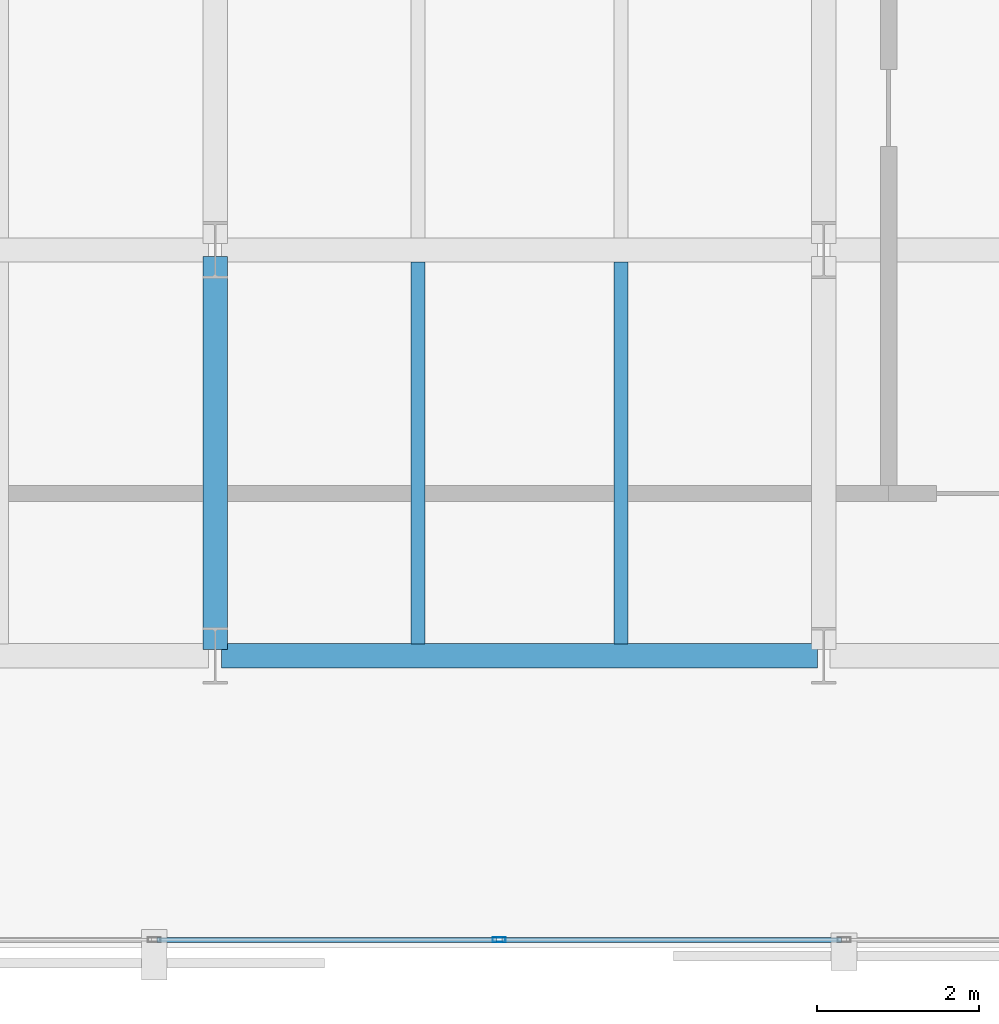
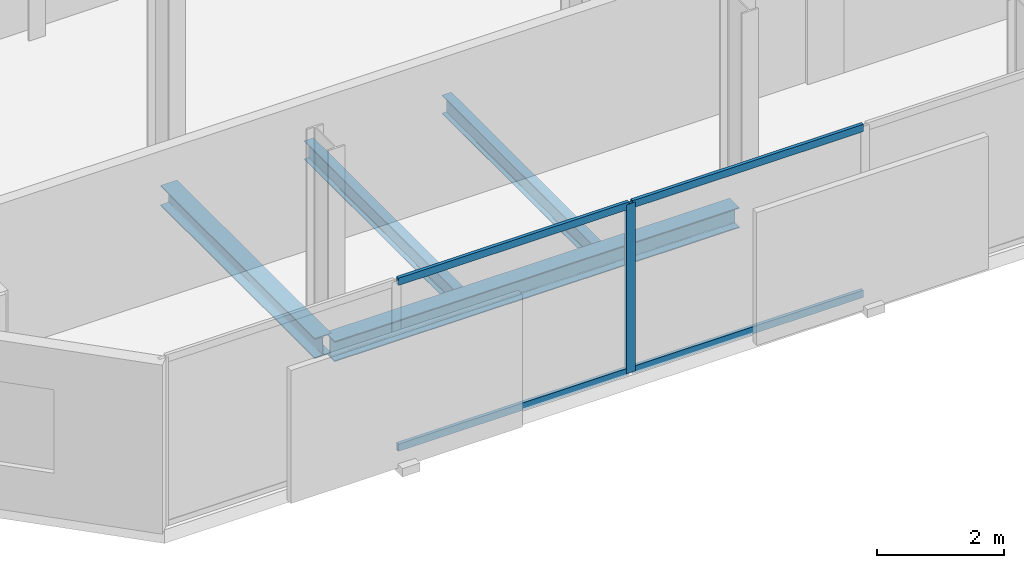
# One storey, part 4 of 32: 5 members, 4 beams, 1 element without a shape of its own.
"""IFC4 building model written with IfcOpenShell, lengths in metres."""

from ifc_helpers import new_model, si_unit, direction, frame, origin, origin_2d, place, context, subcontext, project, spatial, hollow_rectangle, i_section, extrude, material, layer, layer_set, material_profile, profile_set, type_object, element, aggregate, save


model = new_model("IFC4")

# Units and contexts
model_context = context("Model", 3, precision=1e-05, world=origin(), true_north=direction((0.0, 1.0)))
body_context = subcontext(model_context, "Body", "Model", "MODEL_VIEW")
ifc_project = project(units=[si_unit("LENGTHUNIT", "METRE"), si_unit("AREAUNIT", "SQUARE_METRE"), si_unit("VOLUMEUNIT", "CUBIC_METRE"), si_unit("PLANEANGLEUNIT", "RADIAN"), si_unit("MASSUNIT", "GRAM", prefix="KILO")], contexts=[model_context])

# Site, building, storey
site_placement = place(None, origin())
site = spatial("IfcSite", under=ifc_project, at=site_placement, CompositionType="ELEMENT")
building_placement = place(site_placement, origin())
building = spatial("IfcBuilding", under=site, at=building_placement, Name="Catumbela Crestline Tower", CompositionType="ELEMENT")
storey_placement = place(building_placement, frame((0.0, 0.0, 140.4)))
storey = spatial("IfcBuildingStorey", under=building, at=storey_placement, Name="L36", CompositionType="ELEMENT", Elevation=140.4)

# Beams
ifc_material_1 = material(Name="Structural steel S355J2", Category="steel")
ifc_material_profile_1 = material_profile(ifc_material_1, i_section(OverallWidth=0.3, OverallDepth=0.39, WebThickness=0.011, FlangeThickness=0.019, FilletRadius=0.027, at=origin_2d()), Name="HEA 400")
ifc_profile_set_1 = profile_set([ifc_material_profile_1], Name="Structural steel S355J2")
beam_type_1 = type_object("IfcBeamType", Name="BG-HEA400", PredefinedType="BEAM", material=ifc_profile_set_1)
beam_1_placement = place(storey_placement, frame((8.58, 8.6, -0.455), z_axis=(1.0, 0.0, 0.0), x_axis=(0.0, 1.0, 0.0)))
element("IfcBeam", 1, at=beam_1_placement, inside=storey, type_object=beam_type_1, Name="L36 Beam BM-L36-WEW44", PredefinedType="BEAM", context=body_context, shape_type="SweptSolid", body=[
    extrude(i_section(OverallWidth=0.3, OverallDepth=0.39, WebThickness=0.011, FlangeThickness=0.019, FilletRadius=0.027, at=origin_2d()), origin(), (0.0, 0.0, 1.0), 7.34),
])
beam_2_placement = place(storey_placement, frame((8.5, 8.68, -0.455), z_axis=(0.0, 1.0, 0.0), x_axis=(-1.0, 0.0, 0.0)))
element("IfcBeam", 2, at=beam_2_placement, inside=storey, type_object=beam_type_1, Name="L36 Beam BM-L36-WNS55", PredefinedType="BEAM", context=body_context, shape_type="SweptSolid", body=[
    extrude(i_section(OverallWidth=0.3, OverallDepth=0.39, WebThickness=0.011, FlangeThickness=0.019, FilletRadius=0.027, at=origin_2d()), origin(), (0.0, 0.0, 1.0), 4.84),
])
ifc_material_profile_2 = material_profile(ifc_material_1, i_section(OverallWidth=0.17, OverallDepth=0.36, WebThickness=0.008, FlangeThickness=0.0127, FilletRadius=0.018, at=origin_2d()), Name="IPE 360")
ifc_profile_set_2 = profile_set([ifc_material_profile_2], Name="Structural steel S355J2")
beam_type_2 = type_object("IfcBeamType", Name="BJ-IPE360", PredefinedType="JOIST", material=ifc_profile_set_2)
for number, where, z_axis, x_axis, name in (
    (3, (11.0, 8.747, -0.44), (0.0, 1.0, 0.0), (-1.0, 0.0, 0.0), "L36 Joist JS-L36-WG65"),
    (4, (13.5, 8.747, -0.44), (0.0, 1.0, 0.0), (-1.0, 0.0, 0.0), "L36 Joist JS-L36-WG66"),
):
    element("IfcBeam", number, at=place(storey_placement, frame(where, z_axis=z_axis, x_axis=x_axis)), inside=storey, type_object=beam_type_2, Name=name, PredefinedType="JOIST", context=body_context, shape_type="SweptSolid", body=[
        extrude(i_section(OverallWidth=0.17, OverallDepth=0.36, WebThickness=0.008, FlangeThickness=0.0127, FilletRadius=0.018, at=origin_2d()), origin(), (0.0, 0.0, 1.0), 4.706),
    ])

# Curtain wall, members
ifc_material_2 = material(Name="Aluminium alloy AW-6060-T66", Category="aluminium")
ifc_layer = layer(ifc_material_2, 0.18, Name="Aluminium alloy AW-6060-T66")
ifc_layer_set = layer_set([ifc_layer], Name="Aluminium alloy AW-6060-T66")
curtain_wall_type = type_object("IfcCurtainWallType", Name="CWU-Z2", PredefinedType="USERDEFINED", material=ifc_layer_set)
curtain_wall_placement = place(storey_placement, origin())
curtain_wall = element("IfcCurtainWall", 5, at=curtain_wall_placement, inside=storey, type_object=curtain_wall_type, Name="L36 Unitised Curtain Wall CW-L36-E0S1", ObjectType="UNITISED", PredefinedType="USERDEFINED")
ifc_material_profile_3 = material_profile(ifc_material_2, hollow_rectangle(XDim=0.06, YDim=0.16, WallThickness=0.004, at=origin_2d()), Name="ALU 160x60x4")
ifc_profile_set_3 = profile_set([ifc_material_profile_3], Name="Aluminium alloy AW-6060-T66")
member_type_1 = type_object("IfcMemberType", Name="MUL-160X60", PredefinedType="MULLION", material=ifc_profile_set_3)
member_1_placement = place(storey_placement, frame((12.0, 5.1, 0.0), z_axis=(0.0, 0.0, 1.0), x_axis=(0.0, 1.0, 0.0)))
member_1 = element("IfcMember", 6, at=member_1_placement, type_object=member_type_1, Name="CWU-Z2 mullion 3", PredefinedType="MULLION", context=body_context, shape_type="SweptSolid", body=[
    extrude(hollow_rectangle(XDim=0.06, YDim=0.16, WallThickness=0.004, at=origin_2d()), origin(), (0.0, 0.0, 1.0), 3.24),
])
ifc_material_profile_4 = material_profile(ifc_material_2, hollow_rectangle(XDim=0.06, YDim=0.14, WallThickness=0.004, at=origin_2d()), Name="ALU 140x60x4")
ifc_profile_set_4 = profile_set([ifc_material_profile_4], Name="Aluminium alloy AW-6060-T66")
member_type_2 = type_object("IfcMemberType", Name="TRN-140X60", PredefinedType="USERDEFINED", material=ifc_profile_set_4)
member_2_placement = place(storey_placement, frame((7.7825, 5.1, 0.03), z_axis=(1.0, 0.0, 0.0), x_axis=(0.0, 1.0, 0.0)))
member_2 = element("IfcMember", 7, at=member_2_placement, type_object=member_type_2, Name="CWU-Z2 transom 2.1", ObjectType="TRANSOM", PredefinedType="USERDEFINED", context=body_context, shape_type="SweptSolid", body=[
    extrude(hollow_rectangle(XDim=0.06, YDim=0.14, WallThickness=0.004, at=origin_2d()), origin(), (0.0, 0.0, 1.0), 4.185),
])
member_3_placement = place(storey_placement, frame((7.7825, 5.1, 3.21), z_axis=(1.0, 0.0, 0.0), x_axis=(0.0, 1.0, 0.0)))
member_3 = element("IfcMember", 8, at=member_3_placement, type_object=member_type_2, Name="CWU-Z2 transom 2.2", ObjectType="TRANSOM", PredefinedType="USERDEFINED", context=body_context, shape_type="SweptSolid", body=[
    extrude(hollow_rectangle(XDim=0.06, YDim=0.14, WallThickness=0.004, at=origin_2d()), origin(), (0.0, 0.0, 1.0), 4.185),
])
member_4_placement = place(storey_placement, frame((12.0325, 5.1, 0.03), z_axis=(1.0, 0.0, 0.0), x_axis=(0.0, 1.0, 0.0)))
member_4 = element("IfcMember", 9, at=member_4_placement, type_object=member_type_2, Name="CWU-Z2 transom 3.1", ObjectType="TRANSOM", PredefinedType="USERDEFINED", context=body_context, shape_type="SweptSolid", body=[
    extrude(hollow_rectangle(XDim=0.06, YDim=0.14, WallThickness=0.004, at=origin_2d()), origin(), (0.0, 0.0, 1.0), 4.185),
])
member_5_placement = place(storey_placement, frame((12.0325, 5.1, 3.21), z_axis=(1.0, 0.0, 0.0), x_axis=(0.0, 1.0, 0.0)))
member_5 = element("IfcMember", 10, at=member_5_placement, type_object=member_type_2, Name="CWU-Z2 transom 3.2", ObjectType="TRANSOM", PredefinedType="USERDEFINED", context=body_context, shape_type="SweptSolid", body=[
    extrude(hollow_rectangle(XDim=0.06, YDim=0.14, WallThickness=0.004, at=origin_2d()), origin(), (0.0, 0.0, 1.0), 4.185),
])
aggregate(curtain_wall, [member_1, member_2, member_3, member_4, member_5])

save(model, "model.ifc")
